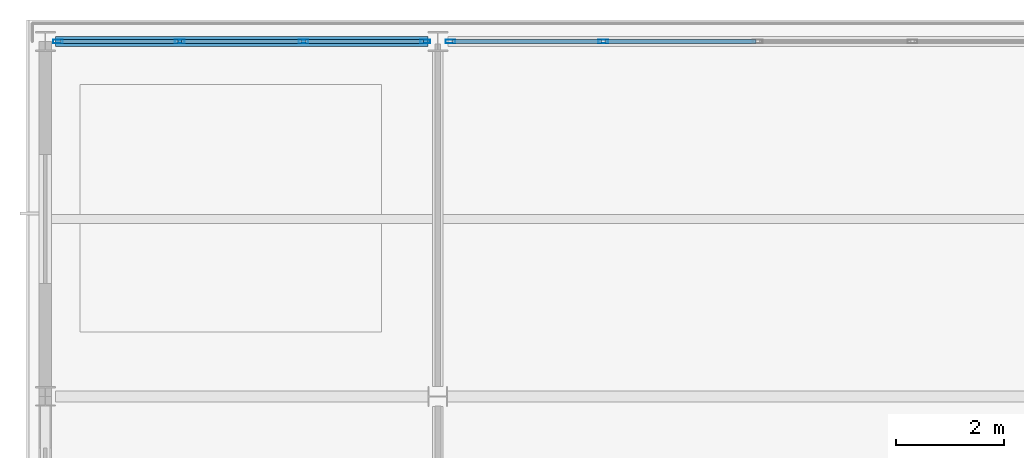
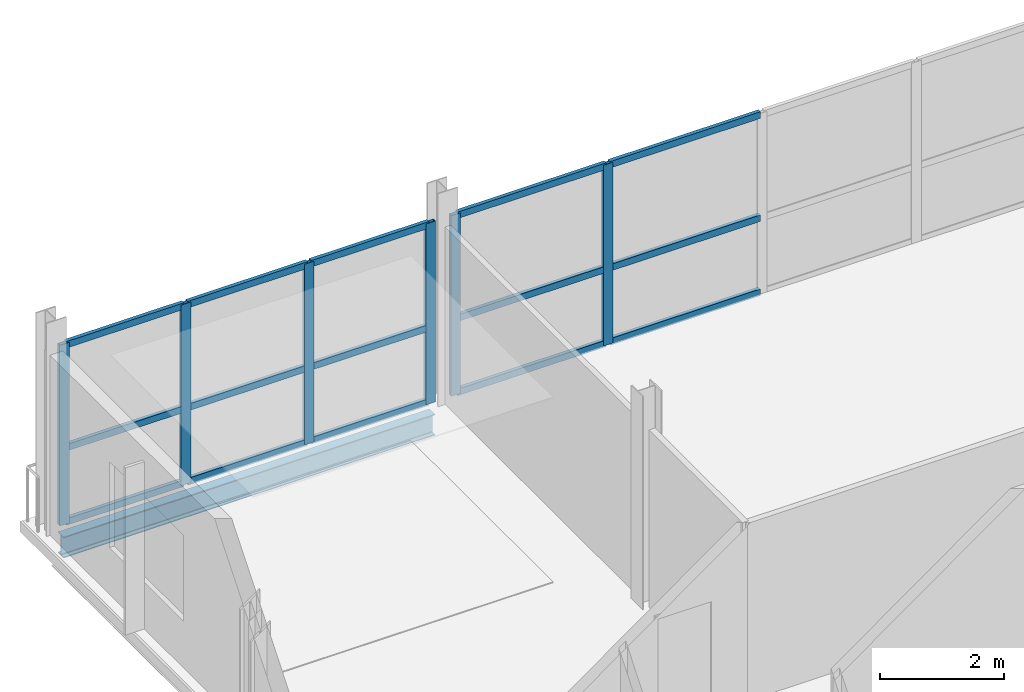
# One storey, part 7 of 16: 21 members, 1 beam, 2 elements without a shape of their own.
"""IFC4 building model written with IfcOpenShell, lengths in metres."""

from ifc_helpers import new_model, si_unit, direction, frame, origin, origin_2d, place, context, subcontext, project, spatial, hollow_rectangle, i_section, extrude, material, layer, layer_set, material_profile, profile_set, type_object, element, aggregate, save


model = new_model("IFC4")

# Units and contexts
model_context = context("Model", 3, precision=1e-05, world=origin(), true_north=direction((0.0, 1.0)))
body_context = subcontext(model_context, "Body", "Model", "MODEL_VIEW")
ifc_project = project(units=[si_unit("LENGTHUNIT", "METRE"), si_unit("AREAUNIT", "SQUARE_METRE"), si_unit("VOLUMEUNIT", "CUBIC_METRE"), si_unit("PLANEANGLEUNIT", "RADIAN"), si_unit("MASSUNIT", "GRAM", prefix="KILO")], contexts=[model_context])

# Site, building, storey
site_placement = place(None, origin())
site = spatial("IfcSite", under=ifc_project, at=site_placement, CompositionType="ELEMENT")
building_placement = place(site_placement, origin())
building = spatial("IfcBuilding", under=site, at=building_placement, Name="Quillay Park Conservatory", CompositionType="ELEMENT")
storey_placement = place(building_placement, frame((0.0, 0.0, 43.5)))
storey = spatial("IfcBuildingStorey", under=building, at=storey_placement, Name="L10", CompositionType="ELEMENT", Elevation=43.5)

# Curtain wall, members
ifc_material_1 = material(Name="Thermally Broken Anodised Aluminium 6063-T6", Category="aluminium")
ifc_layer = layer(ifc_material_1, 0.179931640625)
ifc_layer_set = layer_set([ifc_layer], Name="UNITISED CURTAIN WALL TOWER (Thermally Broken Anodised Aluminium 6063-T6)")
curtain_wall_type = type_object("IfcCurtainWallType", Name="UNITISED CURTAIN WALL TOWER", PredefinedType="USERDEFINED", material=ifc_layer_set)
curtain_wall_1_placement = place(storey_placement, origin())
curtain_wall_1 = element("IfcCurtainWall", 1, at=curtain_wall_1_placement, inside=storey, type_object=curtain_wall_type, Name="L10 Unitised Curtain Wall 102", ObjectType="UNITISED CURTAIN WALL", PredefinedType="USERDEFINED")
ifc_material_2 = material(Name="Thermally Broken Anodised Aluminium 6063-T6", Category="aluminium")
ifc_material_profile_1 = material_profile(ifc_material_2, hollow_rectangle(XDim=0.070068359375, YDim=0.179931640625, WallThickness=0.00390625, at=origin_2d()), Name="AL70x180x4")
ifc_profile_set_1 = profile_set([ifc_material_profile_1], Name="Thermally Broken Anodised Aluminium 6063-T6")
member_type_1 = type_object("IfcMemberType", Name="CURTAIN WALL MULLION 70 X180", PredefinedType="MULLION", material=ifc_profile_set_1)
member_1_placement = place(storey_placement, frame((0.784912109375, 113.39990234375, 0.0), z_axis=(0.0, 0.0, 1.0), x_axis=(0.0, 1.0, 0.0)))
member_1 = element("IfcMember", 2, at=member_1_placement, type_object=member_type_1, Name="CW-T1 mullion 1", PredefinedType="MULLION", context=body_context, shape_type="SweptSolid", body=[
    extrude(hollow_rectangle(XDim=0.070068359375, YDim=0.179931640625, WallThickness=0.00390625, at=origin_2d()), origin(), (0.0, 0.0, 1.0), 3.56396484375),
])
member_2_placement = place(storey_placement, frame((3.050048828125, 113.39990234375, 0.0), z_axis=(0.0, 0.0, 1.0), x_axis=(0.0, 1.0, 0.0)))
member_2 = element("IfcMember", 3, at=member_2_placement, type_object=member_type_1, Name="CW-T1 mullion 2", PredefinedType="MULLION", context=body_context, shape_type="SweptSolid", body=[
    extrude(hollow_rectangle(XDim=0.070068359375, YDim=0.179931640625, WallThickness=0.00390625, at=origin_2d()), origin(), (0.0, 0.0, 1.0), 3.56396484375),
])
member_3_placement = place(storey_placement, frame((5.35009765625, 113.39990234375, 0.0), z_axis=(0.0, 0.0, 1.0), x_axis=(0.0, 1.0, 0.0)))
member_3 = element("IfcMember", 4, at=member_3_placement, type_object=member_type_1, Name="CW-T1 mullion 3", PredefinedType="MULLION", context=body_context, shape_type="SweptSolid", body=[
    extrude(hollow_rectangle(XDim=0.070068359375, YDim=0.179931640625, WallThickness=0.00390625, at=origin_2d()), origin(), (0.0, 0.0, 1.0), 3.56396484375),
])
member_4_placement = place(storey_placement, frame((7.614990234375, 113.39990234375, 0.0), z_axis=(0.0, 0.0, 1.0), x_axis=(0.0, 1.0, 0.0)))
member_4 = element("IfcMember", 5, at=member_4_placement, type_object=member_type_1, Name="CW-T1 mullion 4", PredefinedType="MULLION", context=body_context, shape_type="SweptSolid", body=[
    extrude(hollow_rectangle(XDim=0.070068359375, YDim=0.179931640625, WallThickness=0.00390625, at=origin_2d()), origin(), (0.0, 0.0, 1.0), 3.56396484375),
])

curtain_wall_2_placement = place(storey_placement, origin())
curtain_wall_2 = element("IfcCurtainWall", 6, at=curtain_wall_2_placement, inside=storey, type_object=curtain_wall_type, Name="L10 Unitised Curtain Wall 103", ObjectType="UNITISED CURTAIN WALL", PredefinedType="USERDEFINED")
member_5_placement = place(storey_placement, frame((8.0849609375, 113.39990234375, 0.0), z_axis=(0.0, 0.0, 1.0), x_axis=(0.0, 1.0, 0.0)))
member_5 = element("IfcMember", 7, at=member_5_placement, type_object=member_type_1, Name="CW-T1 mullion 1", PredefinedType="MULLION", context=body_context, shape_type="SweptSolid", body=[
    extrude(hollow_rectangle(XDim=0.070068359375, YDim=0.179931640625, WallThickness=0.00390625, at=origin_2d()), origin(), (0.0, 0.0, 1.0), 3.56396484375),
])
member_6_placement = place(storey_placement, frame((10.925048828125, 113.39990234375, 0.0), z_axis=(0.0, 0.0, 1.0), x_axis=(0.0, 1.0, 0.0)))
member_6 = element("IfcMember", 8, at=member_6_placement, type_object=member_type_1, Name="CW-T1 mullion 2", PredefinedType="MULLION", context=body_context, shape_type="SweptSolid", body=[
    extrude(hollow_rectangle(XDim=0.070068359375, YDim=0.179931640625, WallThickness=0.00390625, at=origin_2d()), origin(), (0.0, 0.0, 1.0), 3.56396484375),
])

# Member
ifc_material_3 = material(Name="Thermally Broken Anodised Aluminium 6063-T6", Category="aluminium")
ifc_material_profile_2 = material_profile(ifc_material_3, hollow_rectangle(XDim=0.070068359375, YDim=0.1298828125, WallThickness=0.003173828125, at=origin_2d()), Name="AL70x130x3.2")
ifc_profile_set_2 = profile_set([ifc_material_profile_2], Name="Thermally Broken Anodised Aluminium 6063-T6")
member_type_2 = type_object("IfcMemberType", Name="CURTAIN WALL TRANSOM 70 X130", PredefinedType="USERDEFINED", material=ifc_profile_set_2)
member_7_placement = place(storey_placement, frame((0.820068359375, 113.39990234375, 0.034912109375), z_axis=(1.0, 0.0, 0.0), x_axis=(0.0, 1.0, 0.0)))
member_7 = element("IfcMember", 9, at=member_7_placement, type_object=member_type_2, Name="CW-T1 transom 1.1", ObjectType="TRANSOM", PredefinedType="USERDEFINED", context=body_context, shape_type="SweptSolid", body=[
    extrude(hollow_rectangle(XDim=0.070068359375, YDim=0.1298828125, WallThickness=0.003173828125, at=origin_2d()), origin(), (0.0, 0.0, 1.0), 2.19482421875),
])

member_8_placement = place(storey_placement, frame((0.820068359375, 113.39990234375, 1.496826171875), z_axis=(1.0, 0.0, 0.0), x_axis=(0.0, 1.0, 0.0)))
member_8 = element("IfcMember", 10, at=member_8_placement, type_object=member_type_2, Name="CW-T1 transom 1.2", ObjectType="TRANSOM", PredefinedType="USERDEFINED", context=body_context, shape_type="SweptSolid", body=[
    extrude(hollow_rectangle(XDim=0.070068359375, YDim=0.1298828125, WallThickness=0.003173828125, at=origin_2d()), origin(), (0.0, 0.0, 1.0), 2.19482421875),
])

member_9_placement = place(storey_placement, frame((0.820068359375, 113.39990234375, 3.529052734375), z_axis=(1.0, 0.0, 0.0), x_axis=(0.0, 1.0, 0.0)))
member_9 = element("IfcMember", 11, at=member_9_placement, type_object=member_type_2, Name="CW-T1 transom 1.3", ObjectType="TRANSOM", PredefinedType="USERDEFINED", context=body_context, shape_type="SweptSolid", body=[
    extrude(hollow_rectangle(XDim=0.070068359375, YDim=0.1298828125, WallThickness=0.003173828125, at=origin_2d()), origin(), (0.0, 0.0, 1.0), 2.19482421875),
])

member_10_placement = place(storey_placement, frame((3.0849609375, 113.39990234375, 0.034912109375), z_axis=(1.0, 0.0, 0.0), x_axis=(0.0, 1.0, 0.0)))
member_10 = element("IfcMember", 12, at=member_10_placement, type_object=member_type_2, Name="CW-T1 transom 2.1", ObjectType="TRANSOM", PredefinedType="USERDEFINED", context=body_context, shape_type="SweptSolid", body=[
    extrude(hollow_rectangle(XDim=0.070068359375, YDim=0.1298828125, WallThickness=0.003173828125, at=origin_2d()), origin(), (0.0, 0.0, 1.0), 2.22998046875),
])

member_11_placement = place(storey_placement, frame((3.0849609375, 113.39990234375, 1.496826171875), z_axis=(1.0, 0.0, 0.0), x_axis=(0.0, 1.0, 0.0)))
member_11 = element("IfcMember", 13, at=member_11_placement, type_object=member_type_2, Name="CW-T1 transom 2.2", ObjectType="TRANSOM", PredefinedType="USERDEFINED", context=body_context, shape_type="SweptSolid", body=[
    extrude(hollow_rectangle(XDim=0.070068359375, YDim=0.1298828125, WallThickness=0.003173828125, at=origin_2d()), origin(), (0.0, 0.0, 1.0), 2.22998046875),
])

member_12_placement = place(storey_placement, frame((3.0849609375, 113.39990234375, 3.529052734375), z_axis=(1.0, 0.0, 0.0), x_axis=(0.0, 1.0, 0.0)))
member_12 = element("IfcMember", 14, at=member_12_placement, type_object=member_type_2, Name="CW-T1 transom 2.3", ObjectType="TRANSOM", PredefinedType="USERDEFINED", context=body_context, shape_type="SweptSolid", body=[
    extrude(hollow_rectangle(XDim=0.070068359375, YDim=0.1298828125, WallThickness=0.003173828125, at=origin_2d()), origin(), (0.0, 0.0, 1.0), 2.22998046875),
])

member_13_placement = place(storey_placement, frame((5.385009765625, 113.39990234375, 0.034912109375), z_axis=(1.0, 0.0, 0.0), x_axis=(0.0, 1.0, 0.0)))
member_13 = element("IfcMember", 15, at=member_13_placement, type_object=member_type_2, Name="CW-T1 transom 3.1", ObjectType="TRANSOM", PredefinedType="USERDEFINED", context=body_context, shape_type="SweptSolid", body=[
    extrude(hollow_rectangle(XDim=0.070068359375, YDim=0.1298828125, WallThickness=0.003173828125, at=origin_2d()), origin(), (0.0, 0.0, 1.0), 2.195068359375),
])

member_14_placement = place(storey_placement, frame((5.385009765625, 113.39990234375, 1.496826171875), z_axis=(1.0, 0.0, 0.0), x_axis=(0.0, 1.0, 0.0)))
member_14 = element("IfcMember", 16, at=member_14_placement, type_object=member_type_2, Name="CW-T1 transom 3.2", ObjectType="TRANSOM", PredefinedType="USERDEFINED", context=body_context, shape_type="SweptSolid", body=[
    extrude(hollow_rectangle(XDim=0.070068359375, YDim=0.1298828125, WallThickness=0.003173828125, at=origin_2d()), origin(), (0.0, 0.0, 1.0), 2.195068359375),
])

member_15_placement = place(storey_placement, frame((5.385009765625, 113.39990234375, 3.529052734375), z_axis=(1.0, 0.0, 0.0), x_axis=(0.0, 1.0, 0.0)))
member_15 = element("IfcMember", 17, at=member_15_placement, type_object=member_type_2, Name="CW-T1 transom 3.3", ObjectType="TRANSOM", PredefinedType="USERDEFINED", context=body_context, shape_type="SweptSolid", body=[
    extrude(hollow_rectangle(XDim=0.070068359375, YDim=0.1298828125, WallThickness=0.003173828125, at=origin_2d()), origin(), (0.0, 0.0, 1.0), 2.195068359375),
])

aggregate(curtain_wall_1, [member_1, member_2, member_3, member_4, member_7, member_8, member_9, member_10, member_11, member_12, member_13, member_14, member_15])

member_16_placement = place(storey_placement, frame((8.1201171875, 113.39990234375, 0.034912109375), z_axis=(1.0, 0.0, 0.0), x_axis=(0.0, 1.0, 0.0)))
member_16 = element("IfcMember", 18, at=member_16_placement, type_object=member_type_2, Name="CW-T1 transom 1.1", ObjectType="TRANSOM", PredefinedType="USERDEFINED", context=body_context, shape_type="SweptSolid", body=[
    extrude(hollow_rectangle(XDim=0.070068359375, YDim=0.1298828125, WallThickness=0.003173828125, at=origin_2d()), origin(), (0.0, 0.0, 1.0), 2.769775390625),
])

member_17_placement = place(storey_placement, frame((8.1201171875, 113.39990234375, 1.496826171875), z_axis=(1.0, 0.0, 0.0), x_axis=(0.0, 1.0, 0.0)))
member_17 = element("IfcMember", 19, at=member_17_placement, type_object=member_type_2, Name="CW-T1 transom 1.2", ObjectType="TRANSOM", PredefinedType="USERDEFINED", context=body_context, shape_type="SweptSolid", body=[
    extrude(hollow_rectangle(XDim=0.070068359375, YDim=0.1298828125, WallThickness=0.003173828125, at=origin_2d()), origin(), (0.0, 0.0, 1.0), 2.769775390625),
])

member_18_placement = place(storey_placement, frame((8.1201171875, 113.39990234375, 3.529052734375), z_axis=(1.0, 0.0, 0.0), x_axis=(0.0, 1.0, 0.0)))
member_18 = element("IfcMember", 20, at=member_18_placement, type_object=member_type_2, Name="CW-T1 transom 1.3", ObjectType="TRANSOM", PredefinedType="USERDEFINED", context=body_context, shape_type="SweptSolid", body=[
    extrude(hollow_rectangle(XDim=0.070068359375, YDim=0.1298828125, WallThickness=0.003173828125, at=origin_2d()), origin(), (0.0, 0.0, 1.0), 2.769775390625),
])

member_19_placement = place(storey_placement, frame((10.9599609375, 113.39990234375, 0.034912109375), z_axis=(1.0, 0.0, 0.0), x_axis=(0.0, 1.0, 0.0)))
member_19 = element("IfcMember", 21, at=member_19_placement, type_object=member_type_2, Name="CW-T1 transom 2.1", ObjectType="TRANSOM", PredefinedType="USERDEFINED", context=body_context, shape_type="SweptSolid", body=[
    extrude(hollow_rectangle(XDim=0.070068359375, YDim=0.1298828125, WallThickness=0.003173828125, at=origin_2d()), origin(), (0.0, 0.0, 1.0), 2.804931640625),
])

member_20_placement = place(storey_placement, frame((10.9599609375, 113.39990234375, 1.496826171875), z_axis=(1.0, 0.0, 0.0), x_axis=(0.0, 1.0, 0.0)))
member_20 = element("IfcMember", 22, at=member_20_placement, type_object=member_type_2, Name="CW-T1 transom 2.2", ObjectType="TRANSOM", PredefinedType="USERDEFINED", context=body_context, shape_type="SweptSolid", body=[
    extrude(hollow_rectangle(XDim=0.070068359375, YDim=0.1298828125, WallThickness=0.003173828125, at=origin_2d()), origin(), (0.0, 0.0, 1.0), 2.804931640625),
])

member_21_placement = place(storey_placement, frame((10.9599609375, 113.39990234375, 3.529052734375), z_axis=(1.0, 0.0, 0.0), x_axis=(0.0, 1.0, 0.0)))
member_21 = element("IfcMember", 23, at=member_21_placement, type_object=member_type_2, Name="CW-T1 transom 2.3", ObjectType="TRANSOM", PredefinedType="USERDEFINED", context=body_context, shape_type="SweptSolid", body=[
    extrude(hollow_rectangle(XDim=0.070068359375, YDim=0.1298828125, WallThickness=0.003173828125, at=origin_2d()), origin(), (0.0, 0.0, 1.0), 2.804931640625),
])

aggregate(curtain_wall_2, [member_5, member_6, member_16, member_17, member_18, member_19, member_20, member_21])

# Beam
ifc_material_4 = material(Name="Steel ASTM A992 Grade 50", Category="steel")
ifc_material_profile_3 = material_profile(ifc_material_4, i_section(OverallWidth=0.179931640625, OverallDepth=0.4130859375, WebThickness=0.009765625, FlangeThickness=0.01611328125, FilletRadius=0.011962890625, at=origin_2d()), Name="W410x74")
ifc_profile_set_3 = profile_set([ifc_material_profile_3], Name="Steel ASTM A992 Grade 50")
beam_type = type_object("IfcBeamType", Name="PERIMETER SPANDREL BEAM W410 X74", PredefinedType="SPANDREL", material=ifc_profile_set_3)
beam_placement = place(storey_placement, frame((0.735595703125, 113.39990234375, -0.406494140625), z_axis=(1.0, 0.0, 0.0), x_axis=(0.0, 1.0, 0.0)))
element("IfcBeam", 24, at=beam_placement, inside=storey, type_object=beam_type, Name="L10 beam BM-SP-0726", PredefinedType="SPANDREL", context=body_context, shape_type="SweptSolid", body=[
    extrude(i_section(OverallWidth=0.179931640625, OverallDepth=0.4130859375, WebThickness=0.009765625, FlangeThickness=0.01611328125, FilletRadius=0.011962890625, at=origin_2d()), origin(), (0.0, 0.0, 1.0), 6.928955078125),
])

save(model, "model.ifc")
